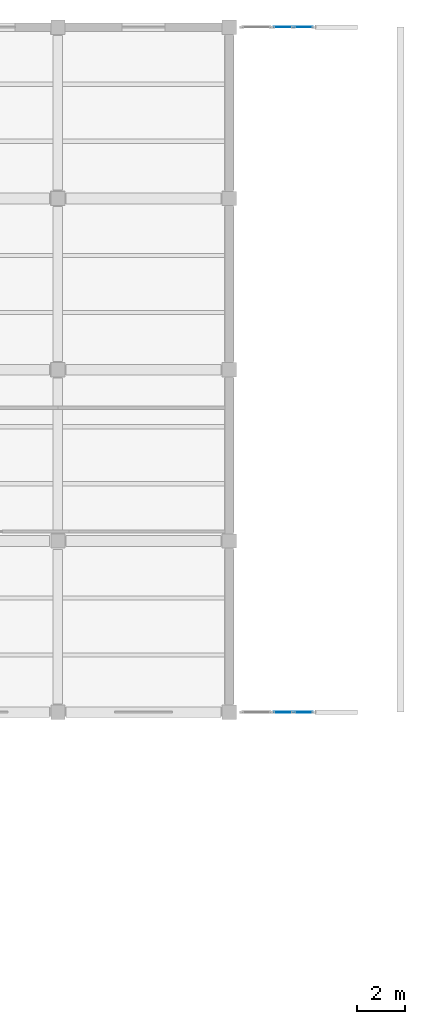
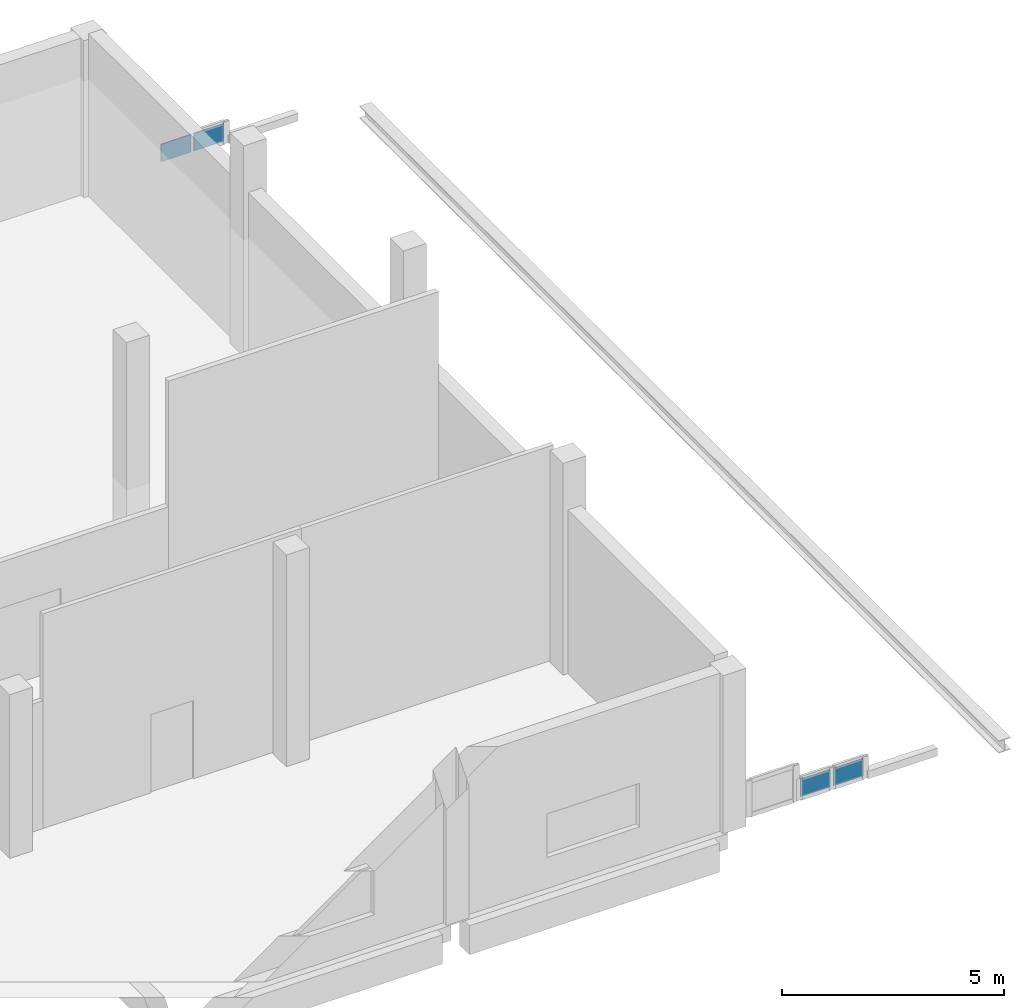
# One storey, part 87 of 105: 4 plates, 2 elements without a shape of their own.
"""IFC4 building model written with IfcOpenShell, lengths in metres."""

from ifc_helpers import new_model, si_unit, direction, frame, origin, origin_2d, place, context, subcontext, project, spatial, rectangle, extrude, material, layer, layer_set, type_object, element, aggregate, save


model = new_model("IFC4")

# Units and contexts
model_context = context("Model", 3, precision=1e-05, world=origin(), true_north=direction((0.0, 1.0)))
body_context = subcontext(model_context, "Body", "Model", "MODEL_VIEW")
ifc_project = project(units=[si_unit("LENGTHUNIT", "METRE"), si_unit("AREAUNIT", "SQUARE_METRE"), si_unit("VOLUMEUNIT", "CUBIC_METRE"), si_unit("PLANEANGLEUNIT", "RADIAN"), si_unit("MASSUNIT", "GRAM", prefix="KILO"), si_unit("THERMODYNAMICTEMPERATUREUNIT", "KELVIN"), si_unit("POWERUNIT", "WATT")], contexts=[model_context])

# Site, building, storey
site_placement = place(None, origin())
site = spatial("IfcSite", under=ifc_project, at=site_placement, CompositionType="ELEMENT")
building_placement = place(site_placement, origin())
building = spatial("IfcBuilding", under=site, at=building_placement, Name="Kaldorven Railside Theatre", CompositionType="ELEMENT")
storey_placement = place(building_placement, frame((0.0, 0.0, 9.89990234375)))
storey = spatial("IfcBuildingStorey", under=building, at=storey_placement, Name="L02", CompositionType="ELEMENT", Elevation=9.89990234375)

# Curtain wall, plates
ifc_material = material(Name="Low-E laminated solar-control glass", Category="glass")
ifc_layer_1 = layer(ifc_material, 0.159912109375, Name="Low-E laminated solar-control glass")
ifc_layer_set_1 = layer_set([ifc_layer_1], Name="Low-E laminated solar-control glass")
curtain_wall_type = type_object("IfcCurtainWallType", Name="CWT-70", PredefinedType="USERDEFINED", material=ifc_layer_set_1)
curtain_wall_1_placement = place(storey_placement, origin())
curtain_wall_1 = element("IfcCurtainWall", 1, at=curtain_wall_1_placement, inside=storey, type_object=curtain_wall_type, Name="Workshop East Gable Clerestory CWG-152", ObjectType="FLUTED GLAZING", PredefinedType="USERDEFINED")
ifc_layer_2 = layer(ifc_material, 0.028076171875, Name="Low-E laminated solar-control glass")
ifc_layer_set_2 = layer_set([ifc_layer_2], Name="Low-E laminated solar-control glass")
plate_type = type_object("IfcPlateType", Name="CWP-GLZ28", PredefinedType="CURTAIN_PANEL", material=ifc_layer_set_2)
plate_1_placement = place(storey_placement, frame((183.070068359375, 112.800048828125, 0.080078125), z_axis=(0.0, 0.0, 1.0), x_axis=(1.0, 0.0, 0.0)))
plate_1 = element("IfcPlate", 2, at=plate_1_placement, type_object=plate_type, Name="CWG-152 panel 1.1", PredefinedType="CURTAIN_PANEL", context=body_context, shape_type="SweptSolid", body=[
    extrude(rectangle(XDim=0.780029296875, YDim=0.028076171875, at=origin_2d()), origin(), (0.0, 0.0, 1.0), 0.47998046875),
])
plate_2_placement = place(storey_placement, frame((183.929931640625, 112.800048828125, 0.080078125), z_axis=(0.0, 0.0, 1.0), x_axis=(1.0, 0.0, 0.0)))
plate_2 = element("IfcPlate", 3, at=plate_2_placement, type_object=plate_type, Name="CWG-152 panel 2.1", PredefinedType="CURTAIN_PANEL", context=body_context, shape_type="SweptSolid", body=[
    extrude(rectangle(XDim=0.780029296875, YDim=0.028076171875, at=origin_2d()), origin(), (0.0, 0.0, 1.0), 0.47998046875),
])
aggregate(curtain_wall_1, [plate_1, plate_2])

curtain_wall_2_placement = place(storey_placement, origin())
curtain_wall_2 = element("IfcCurtainWall", 4, at=curtain_wall_2_placement, inside=storey, type_object=curtain_wall_type, Name="Workshop North Gable Clerestory CWG-155", ObjectType="FLUTED GLAZING", PredefinedType="USERDEFINED")
plate_3_placement = place(storey_placement, frame((183.070068359375, 141.60009765625, 0.080078125), z_axis=(0.0, 0.0, 1.0), x_axis=(1.0, 0.0, 0.0)))
plate_3 = element("IfcPlate", 5, at=plate_3_placement, type_object=plate_type, Name="CWG-155 panel 1.1", PredefinedType="CURTAIN_PANEL", context=body_context, shape_type="SweptSolid", body=[
    extrude(rectangle(XDim=0.780029296875, YDim=0.028076171875, at=origin_2d()), origin(), (0.0, 0.0, 1.0), 0.47998046875),
])
plate_4_placement = place(storey_placement, frame((183.929931640625, 141.60009765625, 0.080078125), z_axis=(0.0, 0.0, 1.0), x_axis=(1.0, 0.0, 0.0)))
plate_4 = element("IfcPlate", 6, at=plate_4_placement, type_object=plate_type, Name="CWG-155 panel 2.1", PredefinedType="CURTAIN_PANEL", context=body_context, shape_type="SweptSolid", body=[
    extrude(rectangle(XDim=0.780029296875, YDim=0.028076171875, at=origin_2d()), origin(), (0.0, 0.0, 1.0), 0.47998046875),
])
aggregate(curtain_wall_2, [plate_3, plate_4])

save(model, "model.ifc")
